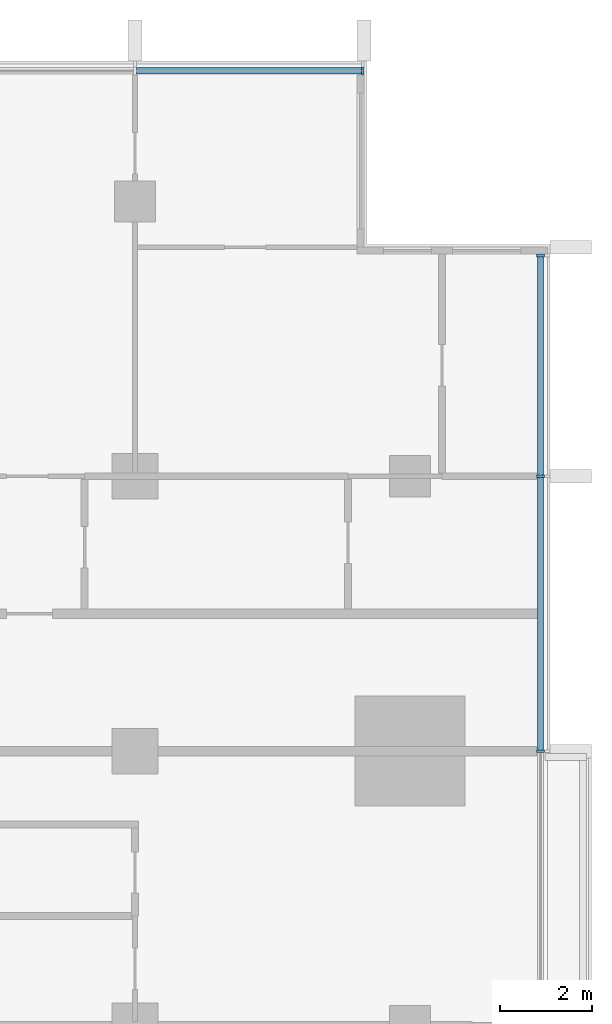
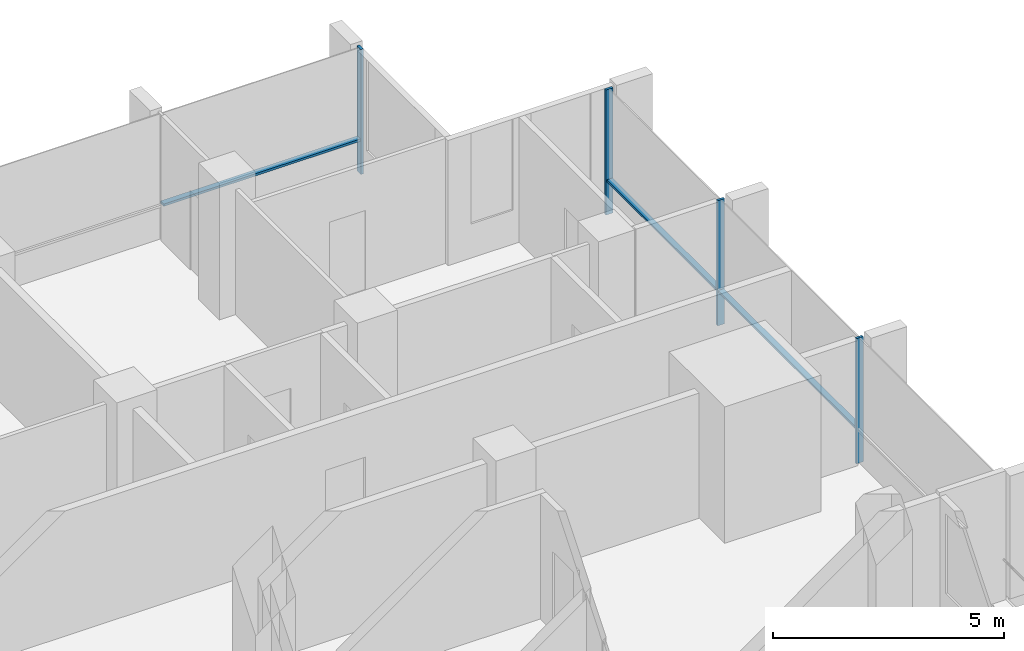
# One storey, part 5 of 16: 7 members, 2 elements without a shape of their own.
"""IFC4 building model written with IfcOpenShell, lengths in metres."""

import ifcopenshell
import ifcopenshell.guid

model = None  # the IFC model being written
_history = None  # IfcOwnerHistory: only IFC2X3 demands one
_inside = {}  # id of a spatial element -> (the spatial element, [elements in it])
_under = {}  # id of a project, library or spatial element -> (it, [spatial elements below it])
_declared = {}  # id of a project -> (the project, [libraries it declares])
_typed = {}  # id of a type object -> (the type object, [elements of that type])
_made_of = {}  # id of a material, layer set ... -> (it, [elements and type objects made of it])


def new_model(schema):
    """Start an empty IFC model of exactly this schema.

    Asked for "IFC4X3", IfcOpenShell would pick the latest addendum, in which some entities
    have other attributes; the version numbers below select the first issue.
    IFC2X3 requires an IfcOwnerHistory on every rooted entity: one is made here for all.
    """
    global model, _history
    if schema == "IFC4X3":
        model = ifcopenshell.file(schema_version=(4, 3, 0, 0))
    else:
        model = ifcopenshell.file(schema=schema)
    _inside.clear()
    _under.clear()
    _declared.clear()
    _typed.clear()
    _made_of.clear()
    _history = None
    if model.schema == "IFC2X3":
        org = make("IfcOrganization", Name="unknown")
        user = make(
            "IfcPersonAndOrganization",
            ThePerson=make("IfcPerson", FamilyName="unknown"),
            TheOrganization=org,
        )
        app = make(
            "IfcApplication",
            ApplicationDeveloper=org,
            Version="unknown",
            ApplicationFullName="unknown",
            ApplicationIdentifier="unknown",
        )
        _history = make(
            "IfcOwnerHistory",
            OwningUser=user,
            OwningApplication=app,
            ChangeAction="ADDED",
            CreationDate=0,
        )
    return model


def make(cls, **values):
    """One entity of the class cls with the attributes given. An attribute that is None is left unset."""
    return model.create_entity(
        cls, **{name: value for name, value in values.items() if value is not None}
    )


def rooted(cls, **values):
    """An entity with a GlobalId (a new one), such as an element, a storey or a relation."""
    return make(cls, GlobalId=ifcopenshell.guid.new(), OwnerHistory=_history, **values)


def si_unit(unit_type, name, prefix=None):
    """IfcSIUnit, for example si_unit("LENGTHUNIT", "METRE", prefix="MILLI")."""
    return make("IfcSIUnit", UnitType=unit_type, Prefix=prefix, Name=name)


def assignment(units):
    """IfcUnitAssignment: the units of a project."""
    return None if units is None else make("IfcUnitAssignment", Units=units)


def point(xyz):
    """IfcCartesianPoint."""
    return None if xyz is None else make("IfcCartesianPoint", Coordinates=xyz)


def direction(xyz):
    """IfcDirection."""
    return None if xyz is None else make("IfcDirection", DirectionRatios=xyz)


def frame(location, z_axis=None, x_axis=None):
    """IfcAxis2Placement3D, a coordinate frame: its origin and axes. An axis left out is left unset."""
    return make(
        "IfcAxis2Placement3D",
        Location=point(location),
        Axis=direction(z_axis),
        RefDirection=direction(x_axis),
    )


def frame_2d(location, x_axis=None):
    """IfcAxis2Placement2D, a coordinate frame in the plane: its origin and x axis."""
    return make(
        "IfcAxis2Placement2D", Location=point(location), RefDirection=direction(x_axis)
    )


def origin():
    """The frame at (0, 0, 0) with its axes left unset."""
    return frame((0.0, 0.0, 0.0))


def origin_2d():
    """The frame at (0, 0) in the plane with its x axis left unset."""
    return frame_2d((0.0, 0.0))


def place(relative_to, where):
    """IfcLocalPlacement: puts the frame where relative to a parent placement (None: the world)."""
    return make(
        "IfcLocalPlacement", PlacementRelTo=relative_to, RelativePlacement=where
    )


def context(
    kind, dimensions, precision=None, world=None, true_north=None, identifier=None
):
    """IfcGeometricRepresentationContext, for example the 3D "Model" context."""
    return make(
        "IfcGeometricRepresentationContext",
        ContextIdentifier=identifier,
        ContextType=kind,
        CoordinateSpaceDimension=dimensions,
        Precision=precision,
        WorldCoordinateSystem=world,
        TrueNorth=true_north,
    )


def subcontext(parent, identifier, kind, view, scale=None):
    """IfcGeometricRepresentationSubContext, for example "Body" below "Model"."""
    return make(
        "IfcGeometricRepresentationSubContext",
        ContextIdentifier=identifier,
        ContextType=kind,
        ParentContext=parent,
        TargetScale=scale,
        TargetView=view,
    )


def project(units=None, contexts=None):
    """IfcProject with its units and contexts."""
    return rooted(
        "IfcProject",
        Name="project",
        RepresentationContexts=contexts,
        UnitsInContext=assignment(units),
    )


def spatial(cls, under=None, at=None, **own):
    """A site, building, storey or space (cls), placed at a placement, below another one or the project."""
    s = rooted(cls, ObjectPlacement=at, **own)
    if under is not None:
        _under.setdefault(under.id(), (under, []))[1].append(s)
    return s


def profile(cls, at=None, kind="AREA", **sizes):
    """A parametric profile (cls). Its sizes go by their IFC names, for example OverallWidth=200.0."""
    return make(cls, ProfileType=kind, Position=at, **sizes)


def rectangle(**sizes):
    """IfcRectangleProfileDef."""
    return profile("IfcRectangleProfileDef", **sizes)


def extrude(swept, where, along, depth):
    """IfcExtrudedAreaSolid: the profile swept, set in the frame where, extruded along a direction by depth."""
    return make(
        "IfcExtrudedAreaSolid",
        SweptArea=swept,
        Position=where,
        ExtrudedDirection=direction(along),
        Depth=depth,
    )


def shape(context_of_items, identifier, shape_type, items):
    """IfcShapeRepresentation: the items that make up one representation, for example the "Body"."""
    return make(
        "IfcShapeRepresentation",
        ContextOfItems=context_of_items,
        RepresentationIdentifier=identifier,
        RepresentationType=shape_type,
        Items=items,
    )


def material(Name=None, Category=None):
    """IfcMaterial."""
    return make("IfcMaterial", Name=Name, Category=Category)


def material_profile(
    of_material, cross_section, Name=None, Category=None, Priority=None
):
    """IfcMaterialProfile: a cross section and its material."""
    return make(
        "IfcMaterialProfile",
        Name=Name,
        Material=of_material,
        Profile=cross_section,
        Priority=Priority,
        Category=Category,
    )


def profile_set(profiles, Name=None, composite=None):
    """IfcMaterialProfileSet."""
    return make(
        "IfcMaterialProfileSet",
        Name=Name,
        MaterialProfiles=profiles,
        CompositeProfile=composite,
    )


def made_of(thing, what):
    """Note that an element or type object is made of a material, layer set ...; save() writes the relation."""
    if what is not None:
        _made_of.setdefault(what.id(), (what, []))[1].append(thing)
    return thing


def type_object(cls, material=None, **own):
    """A type object (cls), such as IfcWallType, which elements share."""
    return made_of(rooted(cls, **own), material)


def element(
    cls,
    number,
    at=None,
    inside=None,
    cuts=None,
    type_object=None,
    material=None,
    context=None,
    identifier="Body",
    shape_type=None,
    held_by="IfcProductDefinitionShape",
    body=None,
    shapes=None,
    **own,
):
    """One element of the class cls, such as IfcWall. Its Tag is "e" and its number.

    at: its placement. inside: the storey or other place that contains it. cuts: it is an
    opening in that element (IfcRelVoidsElement). A single representation is given by context,
    identifier, shape_type and body (its items); several are given by shapes. held_by: the class
    of the entity that holds the representations. save() writes the other relations.
    """
    e = rooted(cls, Tag="e%d" % number, ObjectPlacement=at, **own)
    if body is not None:
        shapes = [shape(context, identifier, shape_type, body)]
    if shapes is not None:
        e.Representation = make(held_by, Representations=shapes)
    if inside is not None:
        _inside.setdefault(inside.id(), (inside, []))[1].append(e)
    if cuts is not None:
        rooted(
            "IfcRelVoidsElement", RelatingBuildingElement=cuts, RelatedOpeningElement=e
        )
    if type_object is not None:
        _typed.setdefault(type_object.id(), (type_object, []))[1].append(e)
    return made_of(e, material)


def aggregate(whole, parts):
    """IfcRelAggregates: a whole, such as a stair, and the parts it consists of."""
    return rooted("IfcRelAggregates", RelatingObject=whole, RelatedObjects=parts)


def save(model, path):
    """Write the relations noted so far, then the file.

    IfcRelAggregates (storeys below a building ...), IfcRelContainedInSpatialStructure (elements
    in a storey), IfcRelDefinesByType, IfcRelAssociatesMaterial and IfcRelDeclares: one each for
    every whole, place, type object, material and project.
    """
    for whole, parts in _under.values():
        aggregate(whole, parts)
    for where, things in _inside.values():
        rooted(
            "IfcRelContainedInSpatialStructure",
            RelatedElements=things,
            RelatingStructure=where,
        )
    for kind, things in _typed.values():
        rooted("IfcRelDefinesByType", RelatedObjects=things, RelatingType=kind)
    for what, things in _made_of.values():
        rooted("IfcRelAssociatesMaterial", RelatedObjects=things, RelatingMaterial=what)
    for by, libraries in _declared.values():
        rooted("IfcRelDeclares", RelatingContext=by, RelatedDefinitions=libraries)
    model.write(path)


model = new_model("IFC4")

# Units and contexts
model_context = context("Model", 3, precision=1e-05, world=origin(), true_north=direction((0.0, 1.0)))
body_context = subcontext(model_context, "Body", "Model", "MODEL_VIEW")
ifc_project = project(units=[si_unit("LENGTHUNIT", "METRE"), si_unit("AREAUNIT", "SQUARE_METRE"), si_unit("VOLUMEUNIT", "CUBIC_METRE"), si_unit("PLANEANGLEUNIT", "RADIAN"), si_unit("MASSUNIT", "GRAM", prefix="KILO")], contexts=[model_context])

# Site, building, storey
site_placement = place(None, origin())
site = spatial("IfcSite", under=ifc_project, at=site_placement, CompositionType="ELEMENT")
building_placement = place(site_placement, origin())
building = spatial("IfcBuilding", under=site, at=building_placement, Name="Finial Court Residences", CompositionType="ELEMENT")
storey_placement = place(building_placement, frame((0.0, 0.0, 163.699951171875)))
storey = spatial("IfcBuildingStorey", under=building, at=storey_placement, Name="L40", CompositionType="ELEMENT", Elevation=163.699951171875)

# Curtain wall, member
ifc_material = material(Name="Bronze anodised aluminium", Category="aluminium")
curtain_wall_type = type_object("IfcCurtainWallType", Name="Unitised curtain wall, upper zones", PredefinedType="NOTDEFINED", material=ifc_material)
curtain_wall_1_placement = place(storey_placement, origin())
curtain_wall_1 = element("IfcCurtainWall", 1, at=curtain_wall_1_placement, inside=storey, type_object=curtain_wall_type, Name="E-L40-CW-N3", PredefinedType="NOTDEFINED")
ifc_material_profile_1 = material_profile(ifc_material, rectangle(XDim=0.175048828125, YDim=0.06005859375, at=origin_2d()), Name="CW2 mullion 60 x 175")
ifc_profile_set_1 = profile_set([ifc_material_profile_1], Name="Bronze anodised aluminium")
member_type_1 = type_object("IfcMemberType", Name="CW2 mullion 60 x 175", PredefinedType="MULLION", material=ifc_profile_set_1)
member_1_placement = place(storey_placement, frame((15.469970703125, 22.35009765625, 0.0), z_axis=(0.0, 0.0, 1.0), x_axis=(0.0, 1.0, 0.0)))
member_1 = element("IfcMember", 2, at=member_1_placement, type_object=member_type_1, Name="CW2 mullion 3", PredefinedType="MULLION", context=body_context, shape_type="SweptSolid", body=[
    extrude(rectangle(XDim=0.175048828125, YDim=0.06005859375, at=origin_2d()), origin(), (0.0, 0.0, 1.0), 3.300048828125),
])

# Curtain wall, members
curtain_wall_2_placement = place(storey_placement, origin())
curtain_wall_2 = element("IfcCurtainWall", 3, at=curtain_wall_2_placement, inside=storey, type_object=curtain_wall_type, Name="E-L40-CW-E6", PredefinedType="NOTDEFINED")
member_2_placement = place(storey_placement, frame((19.35009765625, 7.5, 0.0), z_axis=(0.0, 0.0, 1.0), x_axis=(-1.0, 0.0, 0.0)))
member_2 = element("IfcMember", 4, at=member_2_placement, type_object=member_type_1, Name="CW2 mullion 2", PredefinedType="MULLION", context=body_context, shape_type="SweptSolid", body=[
    extrude(rectangle(XDim=0.175048828125, YDim=0.06005859375, at=origin_2d()), origin(), (0.0, 0.0, 1.0), 3.300048828125),
])
member_3_placement = place(storey_placement, frame((19.35009765625, 13.5, 0.0), z_axis=(0.0, 0.0, 1.0), x_axis=(-1.0, 0.0, 0.0)))
member_3 = element("IfcMember", 5, at=member_3_placement, type_object=member_type_1, Name="CW2 mullion 3", PredefinedType="MULLION", context=body_context, shape_type="SweptSolid", body=[
    extrude(rectangle(XDim=0.175048828125, YDim=0.06005859375, at=origin_2d()), origin(), (0.0, 0.0, 1.0), 3.300048828125),
])
member_4_placement = place(storey_placement, frame((19.35009765625, 18.320068359375, 0.0), z_axis=(0.0, 0.0, 1.0), x_axis=(-1.0, 0.0, 0.0)))
member_4 = element("IfcMember", 6, at=member_4_placement, type_object=member_type_1, Name="CW2 mullion 4", PredefinedType="MULLION", context=body_context, shape_type="SweptSolid", body=[
    extrude(rectangle(XDim=0.175048828125, YDim=0.06005859375, at=origin_2d()), origin(), (0.0, 0.0, 1.0), 3.300048828125),
])

# Member
ifc_material_profile_2 = material_profile(ifc_material, rectangle(XDim=0.139892578125, YDim=0.06005859375, at=origin_2d()), Name="CW2 transom 60 x 140")
ifc_profile_set_2 = profile_set([ifc_material_profile_2], Name="Bronze anodised aluminium")
member_type_2 = type_object("IfcMemberType", Name="CW2 transom 60 x 140", PredefinedType="USERDEFINED", material=ifc_profile_set_2)
member_5_placement = place(storey_placement, frame((10.530029296875, 22.35009765625, 0.900146484375), z_axis=(1.0, 0.0, 0.0), x_axis=(0.0, 1.0, 0.0)))
member_5 = element("IfcMember", 7, at=member_5_placement, type_object=member_type_2, Name="CW2 transom 2.1", ObjectType="TRANSOM", PredefinedType="USERDEFINED", context=body_context, shape_type="SweptSolid", body=[
    extrude(rectangle(XDim=0.139892578125, YDim=0.06005859375, at=origin_2d()), origin(), (0.0, 0.0, 1.0), 4.909912109375),
])

aggregate(curtain_wall_1, [member_1, member_5])

member_6_placement = place(storey_placement, frame((19.35009765625, 7.530029296875, 0.900146484375), z_axis=(0.0, 1.0, 0.0), x_axis=(-1.0, 0.0, 0.0)))
member_6 = element("IfcMember", 8, at=member_6_placement, type_object=member_type_2, Name="CW2 transom 2.1", ObjectType="TRANSOM", PredefinedType="USERDEFINED", context=body_context, shape_type="SweptSolid", body=[
    extrude(rectangle(XDim=0.139892578125, YDim=0.06005859375, at=origin_2d()), origin(), (0.0, 0.0, 1.0), 5.93994140625),
])

member_7_placement = place(storey_placement, frame((19.35009765625, 13.530029296875, 0.900146484375), z_axis=(0.0, 1.0, 0.0), x_axis=(-1.0, 0.0, 0.0)))
member_7 = element("IfcMember", 9, at=member_7_placement, type_object=member_type_2, Name="CW2 transom 3.1", ObjectType="TRANSOM", PredefinedType="USERDEFINED", context=body_context, shape_type="SweptSolid", body=[
    extrude(rectangle(XDim=0.139892578125, YDim=0.06005859375, at=origin_2d()), origin(), (0.0, 0.0, 1.0), 4.760009765625),
])

aggregate(curtain_wall_2, [member_2, member_3, member_4, member_6, member_7])

save(model, "model.ifc")
